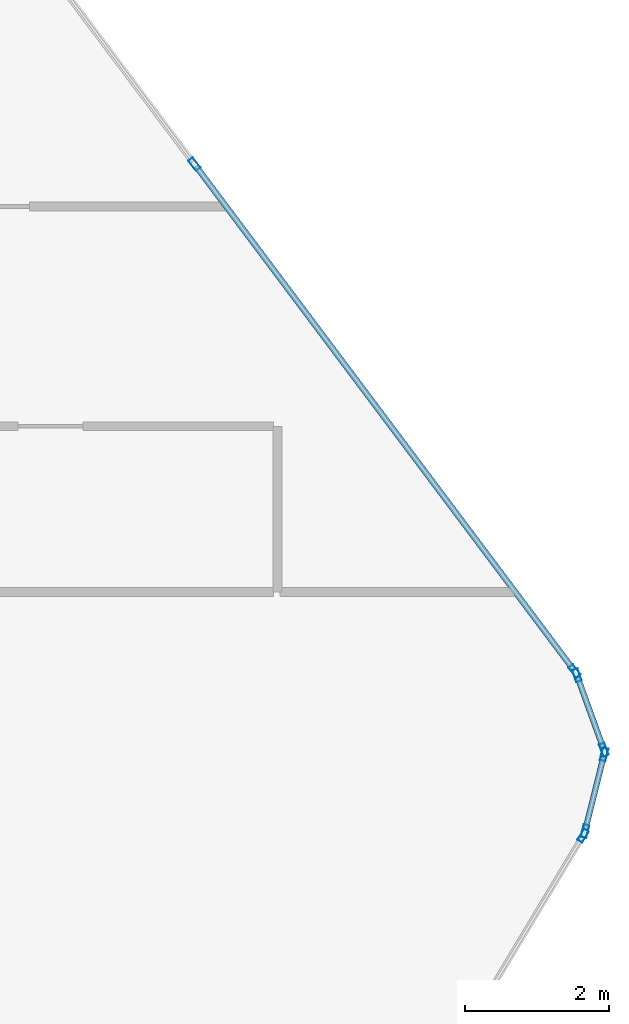
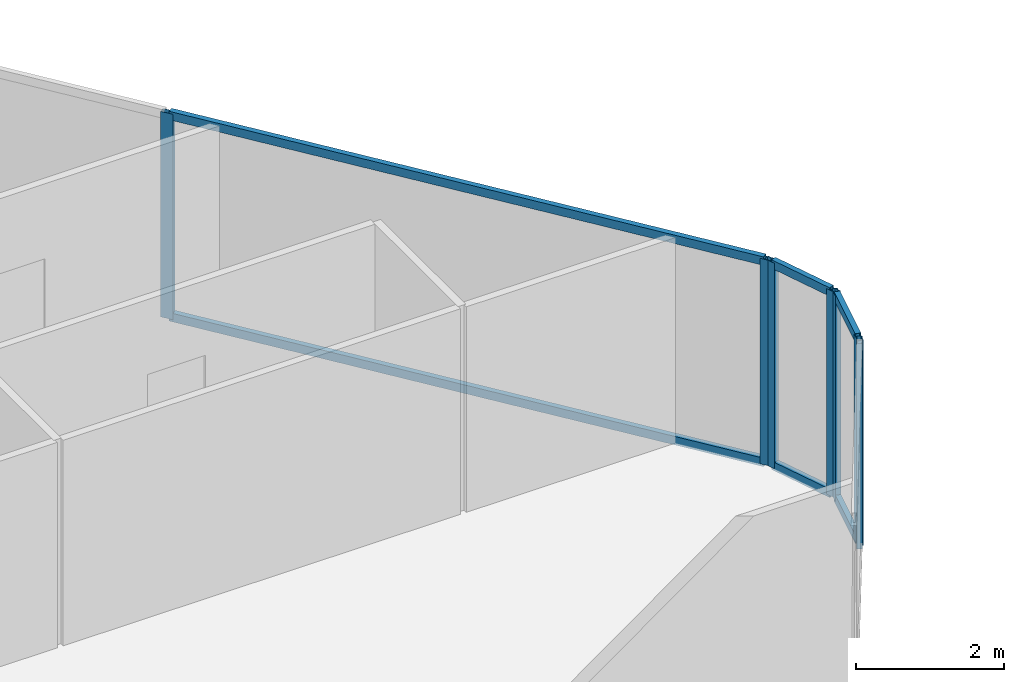
# One storey, part 19 of 32: 13 members, 4 elements without a shape of their own.
"""IFC4 building model written with IfcOpenShell, lengths in metres."""

from ifc_helpers import new_model, si_unit, direction, frame, origin, origin_2d, place, context, subcontext, project, spatial, hollow_rectangle, extrude, material, layer, layer_set, material_profile, profile_set, type_object, element, aggregate, save


model = new_model("IFC4")

# Units and contexts
model_context = context("Model", 3, precision=1e-05, world=origin(), true_north=direction((0.0, 1.0)))
body_context = subcontext(model_context, "Body", "Model", "MODEL_VIEW")
ifc_project = project(units=[si_unit("LENGTHUNIT", "METRE"), si_unit("AREAUNIT", "SQUARE_METRE"), si_unit("VOLUMEUNIT", "CUBIC_METRE"), si_unit("PLANEANGLEUNIT", "RADIAN"), si_unit("MASSUNIT", "GRAM", prefix="KILO")], contexts=[model_context])

# Site, building, storey
site_placement = place(None, origin())
site = spatial("IfcSite", under=ifc_project, at=site_placement, CompositionType="ELEMENT")
building_placement = place(site_placement, origin())
building = spatial("IfcBuilding", under=site, at=building_placement, Name="Keshet Zoharim Tower", CompositionType="ELEMENT")
storey_placement = place(building_placement, frame((0.0, 0.0, 152.0)))
storey = spatial("IfcBuildingStorey", under=building, at=storey_placement, Name="L37", CompositionType="ELEMENT", Elevation=152.0)

# Curtain wall, members
ifc_material = material(Name="Aluminium 6063-T6", Category="aluminium")
ifc_layer = layer(ifc_material, 0.159912109375)
ifc_layer_set = layer_set([ifc_layer], Name="Aluminium 6063-T6")
curtain_wall_type = type_object("IfcCurtainWallType", Name="CW-SYS-03", PredefinedType="NOTDEFINED", material=ifc_layer_set)
curtain_wall_1_placement = place(storey_placement, origin())
curtain_wall_1 = element("IfcCurtainWall", 1, at=curtain_wall_1_placement, inside=storey, type_object=curtain_wall_type, Name="L37 Unitised Curtain Wall 15", PredefinedType="NOTDEFINED")
ifc_material_profile_1 = material_profile(ifc_material, hollow_rectangle(XDim=0.080078125, YDim=0.179931640625, WallThickness=0.00439453125, at=origin_2d()), Name="MUL-80x180")
ifc_profile_set_1 = profile_set([ifc_material_profile_1], Name="Aluminium 6063-T6")
member_type_1 = type_object("IfcMemberType", Name="CWM-M18", PredefinedType="MULLION", material=ifc_profile_set_1)
member_1_placement = place(storey_placement, frame((56.896484375, 46.0380859375, 0.0), z_axis=(0.0, 0.0, 1.0), x_axis=(0.799999999998, 0.600000000002, 0.0)))
member_1 = element("IfcMember", 2, at=member_1_placement, type_object=member_type_1, Name="CW-03 mullion 2", PredefinedType="MULLION", context=body_context, shape_type="SweptSolid", body=[
    extrude(hollow_rectangle(XDim=0.080078125, YDim=0.179931640625, WallThickness=0.00439453125, at=origin_2d()), origin(), (0.0, 0.0, 1.0), 3.385009765625),
])
member_2_placement = place(storey_placement, frame((62.172119140625, 39.00390625, 0.0), z_axis=(0.0, 0.0, 1.0), x_axis=(0.799999999998, 0.600000000002, 0.0)))
member_2 = element("IfcMember", 3, at=member_2_placement, type_object=member_type_1, Name="CW-03 mullion 3", PredefinedType="MULLION", context=body_context, shape_type="SweptSolid", body=[
    extrude(hollow_rectangle(XDim=0.080078125, YDim=0.179931640625, WallThickness=0.00439453125, at=origin_2d()), origin(), (0.0, 0.0, 1.0), 3.385009765625),
])

curtain_wall_2_placement = place(storey_placement, origin())
curtain_wall_2 = element("IfcCurtainWall", 4, at=curtain_wall_2_placement, inside=storey, type_object=curtain_wall_type, Name="L37 Unitised Curtain Wall 16", PredefinedType="NOTDEFINED")
member_3_placement = place(storey_placement, frame((62.204833984375, 38.943115234375, 0.0), z_axis=(0.0, 0.0, 1.0), x_axis=(0.940317877544, 0.340297354046, 0.0)))
member_3 = element("IfcMember", 5, at=member_3_placement, type_object=member_type_1, Name="CW-03 mullion 1", PredefinedType="MULLION", context=body_context, shape_type="SweptSolid", body=[
    extrude(hollow_rectangle(XDim=0.080078125, YDim=0.179931640625, WallThickness=0.00439453125, at=origin_2d()), origin(), (0.0, 0.0, 1.0), 3.385009765625),
])
member_4_placement = place(storey_placement, frame((62.578125, 37.911865234375, 0.0), z_axis=(0.0, 0.0, 1.0), x_axis=(0.940317877544, 0.340297354046, 0.0)))
member_4 = element("IfcMember", 6, at=member_4_placement, type_object=member_type_1, Name="CW-03 mullion 2", PredefinedType="MULLION", context=body_context, shape_type="SweptSolid", body=[
    extrude(hollow_rectangle(XDim=0.080078125, YDim=0.179931640625, WallThickness=0.00439453125, at=origin_2d()), origin(), (0.0, 0.0, 1.0), 3.385009765625),
])

curtain_wall_3_placement = place(storey_placement, origin())
curtain_wall_3 = element("IfcCurtainWall", 7, at=curtain_wall_3_placement, inside=storey, type_object=curtain_wall_type, Name="L37 Unitised Curtain Wall 17", PredefinedType="NOTDEFINED")
member_5_placement = place(storey_placement, frame((62.58154296875, 37.844970703125, 0.0), z_axis=(0.0, 0.0, 1.0), x_axis=(0.970343857447, -0.241728770141, 0.0)))
member_5 = element("IfcMember", 8, at=member_5_placement, type_object=member_type_1, Name="CW-03 mullion 1", PredefinedType="MULLION", context=body_context, shape_type="SweptSolid", body=[
    extrude(hollow_rectangle(XDim=0.080078125, YDim=0.179931640625, WallThickness=0.00439453125, at=origin_2d()), origin(), (0.0, 0.0, 1.0), 3.385009765625),
])
member_6_placement = place(storey_placement, frame((62.31640625, 36.781005859375, 0.0), z_axis=(0.0, 0.0, 1.0), x_axis=(0.970343857447, -0.241728770141, 0.0)))
member_6 = element("IfcMember", 9, at=member_6_placement, type_object=member_type_1, Name="CW-03 mullion 2", PredefinedType="MULLION", context=body_context, shape_type="SweptSolid", body=[
    extrude(hollow_rectangle(XDim=0.080078125, YDim=0.179931640625, WallThickness=0.00439453125, at=origin_2d()), origin(), (0.0, 0.0, 1.0), 3.385009765625),
])

# Curtain wall, member
curtain_wall_4_placement = place(storey_placement, origin())
curtain_wall_4 = element("IfcCurtainWall", 10, at=curtain_wall_4_placement, inside=storey, type_object=curtain_wall_type, Name="L37 Unitised Curtain Wall 18", PredefinedType="NOTDEFINED")
member_7_placement = place(storey_placement, frame((62.2900390625, 36.717041015625, 0.0), z_axis=(0.0, 0.0, 1.0), x_axis=(0.857501477862, -0.514481501576, 0.0)))
member_7 = element("IfcMember", 11, at=member_7_placement, type_object=member_type_1, Name="CW-03 mullion 1", PredefinedType="MULLION", context=body_context, shape_type="SweptSolid", body=[
    extrude(hollow_rectangle(XDim=0.080078125, YDim=0.179931640625, WallThickness=0.00439453125, at=origin_2d()), origin(), (0.0, 0.0, 1.0), 3.385009765625),
])
aggregate(curtain_wall_4, [member_7])

# Member
ifc_material_profile_2 = material_profile(ifc_material, hollow_rectangle(XDim=0.080078125, YDim=0.139892578125, WallThickness=0.00390625, at=origin_2d()), Name="TRN-80x140")
ifc_profile_set_2 = profile_set([ifc_material_profile_2], Name="Aluminium 6063-T6")
member_type_2 = type_object("IfcMemberType", Name="CWT-T14", PredefinedType="USERDEFINED", material=ifc_profile_set_2)
member_8_placement = place(storey_placement, frame((56.91748046875, 46.010009765625, 0.034912109375), z_axis=(0.599991043201, -0.800006717521, 0.0), x_axis=(0.800006717521, 0.599991043201, 0.0)))
member_8 = element("IfcMember", 12, at=member_8_placement, type_object=member_type_2, Name="CW-03 transom 2.1", ObjectType="TRANSOM", PredefinedType="USERDEFINED", context=body_context, shape_type="SweptSolid", body=[
    extrude(hollow_rectangle(XDim=0.080078125, YDim=0.139892578125, WallThickness=0.00390625, at=origin_2d()), origin(), (0.0, 0.0, 1.0), 8.722412109375),
])

member_9_placement = place(storey_placement, frame((56.91748046875, 46.010009765625, 3.35009765625), z_axis=(0.599991043201, -0.800006717521, 0.0), x_axis=(0.800006717521, 0.599991043201, 0.0)))
member_9 = element("IfcMember", 13, at=member_9_placement, type_object=member_type_2, Name="CW-03 transom 2.2", ObjectType="TRANSOM", PredefinedType="USERDEFINED", context=body_context, shape_type="SweptSolid", body=[
    extrude(hollow_rectangle(XDim=0.080078125, YDim=0.139892578125, WallThickness=0.00390625, at=origin_2d()), origin(), (0.0, 0.0, 1.0), 8.722412109375),
])

aggregate(curtain_wall_1, [member_1, member_2, member_8, member_9])

member_10_placement = place(storey_placement, frame((62.216796875, 38.91015625, 0.034912109375), z_axis=(0.340310579984, -0.940313091024, 0.0), x_axis=(0.940313091024, 0.340310579984, 0.0)))
member_10 = element("IfcMember", 14, at=member_10_placement, type_object=member_type_2, Name="CW-03 transom 1.1", ObjectType="TRANSOM", PredefinedType="USERDEFINED", context=body_context, shape_type="SweptSolid", body=[
    extrude(hollow_rectangle(XDim=0.080078125, YDim=0.139892578125, WallThickness=0.00390625, at=origin_2d()), origin(), (0.0, 0.0, 1.0), 1.026611328125),
])

member_11_placement = place(storey_placement, frame((62.216796875, 38.91015625, 3.35009765625), z_axis=(0.340310579984, -0.940313091024, 0.0), x_axis=(0.940313091024, 0.340310579984, 0.0)))
member_11 = element("IfcMember", 15, at=member_11_placement, type_object=member_type_2, Name="CW-03 transom 1.2", ObjectType="TRANSOM", PredefinedType="USERDEFINED", context=body_context, shape_type="SweptSolid", body=[
    extrude(hollow_rectangle(XDim=0.080078125, YDim=0.139892578125, WallThickness=0.00390625, at=origin_2d()), origin(), (0.0, 0.0, 1.0), 1.026611328125),
])

aggregate(curtain_wall_2, [member_3, member_4, member_10, member_11])

member_12_placement = place(storey_placement, frame((62.572998046875, 37.81103515625, 0.034912109375), z_axis=(-0.241640143717, -0.970365931463, 0.0), x_axis=(0.970365931463, -0.241640143717, 0.0)))
member_12 = element("IfcMember", 16, at=member_12_placement, type_object=member_type_2, Name="CW-03 transom 1.1", ObjectType="TRANSOM", PredefinedType="USERDEFINED", context=body_context, shape_type="SweptSolid", body=[
    extrude(hollow_rectangle(XDim=0.080078125, YDim=0.139892578125, WallThickness=0.00390625, at=origin_2d()), origin(), (0.0, 0.0, 1.0), 1.026611328125),
])

member_13_placement = place(storey_placement, frame((62.572998046875, 37.81103515625, 3.35009765625), z_axis=(-0.241640143717, -0.970365931463, 0.0), x_axis=(0.970365931463, -0.241640143717, 0.0)))
member_13 = element("IfcMember", 17, at=member_13_placement, type_object=member_type_2, Name="CW-03 transom 1.2", ObjectType="TRANSOM", PredefinedType="USERDEFINED", context=body_context, shape_type="SweptSolid", body=[
    extrude(hollow_rectangle(XDim=0.080078125, YDim=0.139892578125, WallThickness=0.00390625, at=origin_2d()), origin(), (0.0, 0.0, 1.0), 1.026611328125),
])

aggregate(curtain_wall_3, [member_5, member_6, member_12, member_13])

save(model, "model.ifc")
